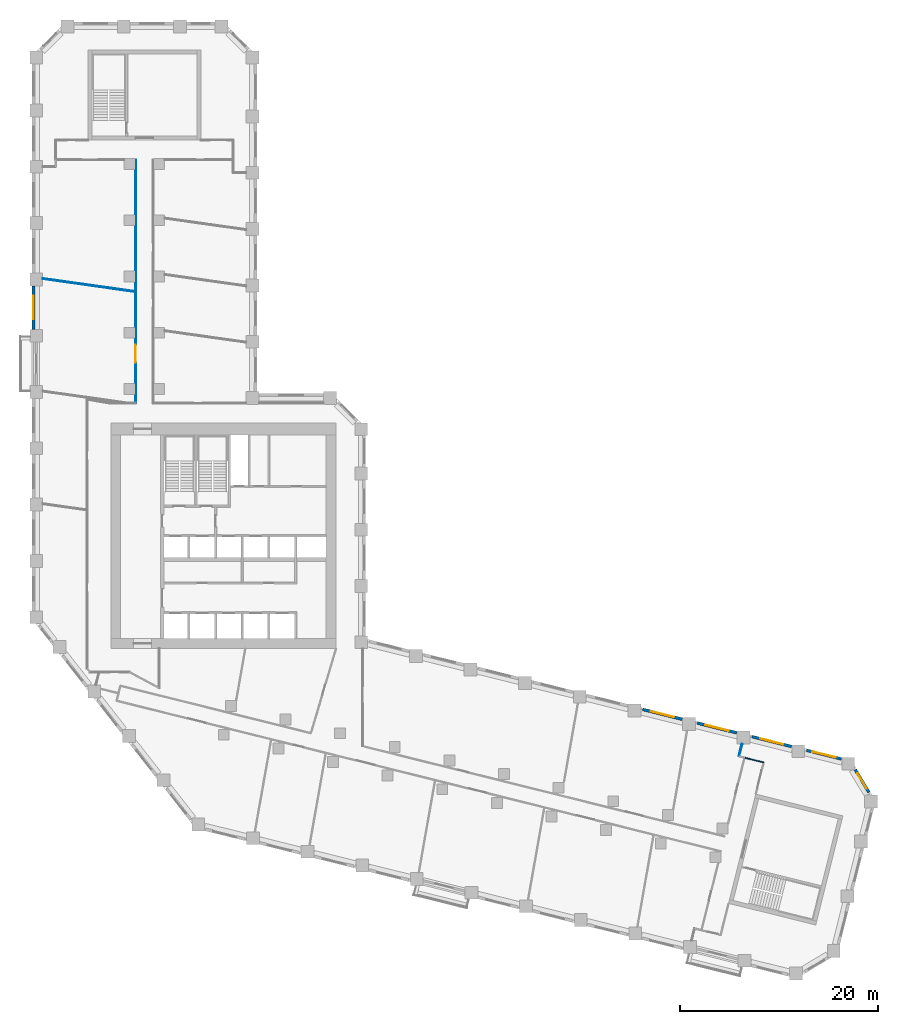
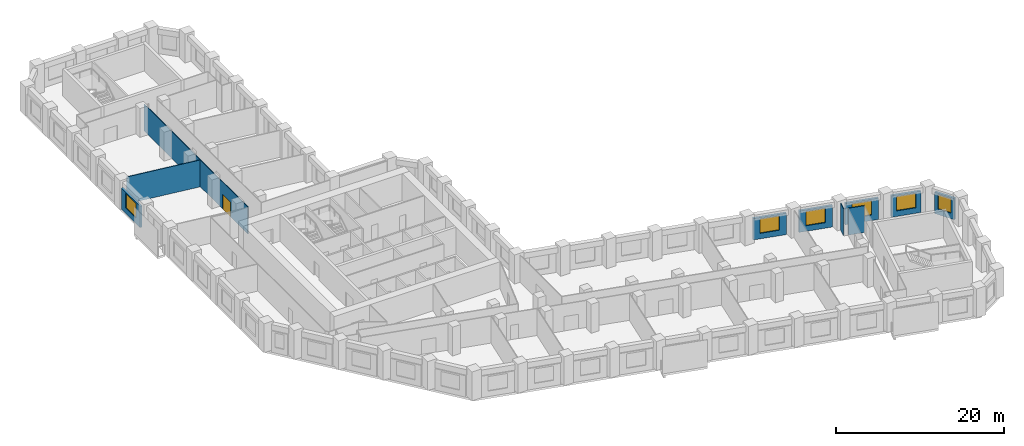
# One storey, part 7 of 10: 10 walls, 6 windows, 1 door, 7 openings.
"""IFC4 building model written with IfcOpenShell, lengths in metres."""

from ifc_helpers import new_model, si_unit, direction, frame, frame_2d, origin, place, context, subcontext, project, spatial, rectangle, extrude, material, layer, layer_set, type_object, element, fill, save


model = new_model("IFC4")

# Units and contexts
model_context = context("Model", 3, precision=1e-05, world=origin(), true_north=direction((0.0, 1.0)))
body_context = subcontext(model_context, "Body", "Model", "MODEL_VIEW")
ifc_project = project(units=[si_unit("LENGTHUNIT", "METRE"), si_unit("AREAUNIT", "SQUARE_METRE"), si_unit("VOLUMEUNIT", "CUBIC_METRE"), si_unit("PLANEANGLEUNIT", "RADIAN"), si_unit("MASSUNIT", "GRAM", prefix="KILO")], contexts=[model_context])

# Site, building, storey
site_placement = place(None, origin())
site = spatial("IfcSite", under=ifc_project, at=site_placement, CompositionType="ELEMENT")
building_placement = place(site_placement, origin())
building = spatial("IfcBuilding", under=site, at=building_placement, Name="Meshkara Civic Tower", CompositionType="ELEMENT")
storey_placement = place(building_placement, frame((0.0, 0.0, 118.199951171875)))
storey = spatial("IfcBuildingStorey", under=building, at=storey_placement, Name="L26", CompositionType="ELEMENT", Elevation=118.199951171875)

# Wall, opening, door
ifc_material_1 = material(Name="Corridor wall 100")
ifc_layer_1 = layer(ifc_material_1, 0.10009765625)
ifc_layer_set_1 = layer_set([ifc_layer_1], Name="Corridor wall 100")
wall_type_1 = type_object("IfcWallType", Name="Corridor wall 100", PredefinedType="PARTITIONING", material=ifc_layer_set_1)
wall_1_placement = place(storey_placement, frame((10.5, 63.570068359375, 0.0), z_axis=(0.0, 0.0, 1.0), x_axis=(0.0, -1.0, 0.0)))
wall_1 = element("IfcWall", 1, at=wall_1_placement, inside=storey, type_object=wall_type_1, Name="L26-W013", PredefinedType="PARTITIONING", context=body_context, shape_type="SweptSolid", body=[
    extrude(rectangle(XDim=24.670166015625, YDim=0.10009765625, at=frame_2d((12.3349609375, 0.0))), origin(), (0.0, 0.0, 1.0), 3.900146484375),
])
opening_1_placement = place(wall_1_placement, frame((18.738037109375, 0.0, 0.0)))
opening_1 = element("IfcOpeningElement", 2, at=opening_1_placement, cuts=wall_1, Name="Opening L26-D018", PredefinedType="OPENING", context=body_context, shape_type="SweptSolid", body=[
    extrude(rectangle(XDim=1.800048828125, YDim=2.10009765625, at=frame_2d((0.89990234375, 1.050048828125))), frame((0.0, 0.06005859375, 0.0), z_axis=(0.0, -1.0, 0.0), x_axis=(1.0, 0.0, 0.0)), (0.0, 0.0, 1.0), 0.1201171875),
])
ifc_material_2 = material(Name="Door pair 1800 x 2100")
door_type = type_object("IfcDoorType", Name="Door pair 1800 x 2100", OperationType="SINGLE_SWING_LEFT", PredefinedType="DOOR", material=ifc_material_2)
door_placement = place(opening_1_placement, origin())
door = element("IfcDoor", 3, at=door_placement, inside=storey, type_object=door_type, Name="L26-D018", OperationType="DOUBLE_DOOR_SINGLE_SWING", OverallHeight=2.10009765625, OverallWidth=1.800048828125, PredefinedType="DOOR", context=body_context, shape_type="SweptSolid", body=[
    extrude(rectangle(XDim=1.800048828125, YDim=2.10009765625, at=frame_2d((0.89990234375, 1.050048828125))), frame((0.0, 0.02490234375, 0.0), z_axis=(0.0, -1.0, 0.0), x_axis=(1.0, 0.0, 0.0)), (0.0, 0.0, 1.0), 0.050048828125),
])
fill(opening_1, door)

# Wall
wall_2_placement = place(storey_placement, frame((74.087890625, 2.552001953125, 0.0), z_axis=(0.0, 0.0, 1.0), x_axis=(-0.970271653322, 0.242018426489, 0.0)))
element("IfcWall", 4, at=wall_2_placement, inside=storey, type_object=wall_type_1, Name="L26-W029", PredefinedType="PARTITIONING", context=body_context, shape_type="SweptSolid", body=[
    extrude(rectangle(XDim=1.999267578125, YDim=0.10009765625, at=frame_2d((0.99951171875, 0.0))), origin(), (0.0, 0.0, 1.0), 3.900146484375),
])

# Wall, opening, window
ifc_material_3 = material(Name="Insulated infill panel with bronze anodised aluminium cladding", Category="aluminium")
ifc_layer_2 = layer(ifc_material_3, 0.300048828125)
ifc_layer_set_2 = layer_set([ifc_layer_2], Name="EXTERNAL INFILL WALL 300")
wall_type_2 = type_object("IfcWallType", Name="EXTERNAL INFILL WALL 300", PredefinedType="SOLIDWALL", material=ifc_layer_set_2)
wall_3_placement = place(storey_placement, frame((81.962890625, 2.906982421875, 0.0), z_axis=(0.0, 0.0, 1.0), x_axis=(-0.970248953144, 0.24210941519, 0.0)))
wall_3 = element("IfcWall", 5, at=wall_3_placement, inside=storey, type_object=wall_type_2, Name="External wall", PredefinedType="SOLIDWALL", context=body_context, shape_type="SweptSolid", body=[
    extrude(rectangle(XDim=3.63916015625, YDim=0.300048828125, at=frame_2d((1.819580078125, 0.0))), origin(), (0.0, 0.0, 1.0), 3.10009765625),
])
opening_2_placement = place(wall_3_placement, frame((0.6201171875, 0.0, 0.800048828125)))
opening_2 = element("IfcOpeningElement", 6, at=opening_2_placement, cuts=wall_3, Name="Opening W7", PredefinedType="OPENING", context=body_context, shape_type="SweptSolid", body=[
    extrude(rectangle(XDim=2.39990234375, YDim=2.10009765625, at=frame_2d((1.199951171875, 1.050048828125))), frame((0.0, 0.159912109375, 0.0), z_axis=(0.0, -1.0, 0.0), x_axis=(1.0, 0.0, 0.0)), (0.0, 0.0, 1.0), 0.320068359375),
])
ifc_material_4 = material(Name="Tinted double glazing", Category="glass")
window_type_1 = type_object("IfcWindowType", Name="WINDOW 2400x2100", PartitioningType="DOUBLE_PANEL_VERTICAL", PredefinedType="WINDOW", material=ifc_material_4)
window_1_placement = place(opening_2_placement, origin())
window_1 = element("IfcWindow", 7, at=window_1_placement, inside=storey, type_object=window_type_1, Name="Window", OverallHeight=2.10009765625, OverallWidth=2.39990234375, PartitioningType="DOUBLE_PANEL_VERTICAL", PredefinedType="WINDOW", context=body_context, shape_type="SweptSolid", body=[
    extrude(rectangle(XDim=2.39990234375, YDim=2.10009765625, at=frame_2d((1.199951171875, 1.050048828125))), frame((0.0, 0.030029296875, 0.0), z_axis=(0.0, -1.0, 0.0), x_axis=(1.0, 0.0, 0.0)), (0.0, 0.0, 1.0), 0.06005859375),
])
fill(opening_2, window_1)

wall_4_placement = place(storey_placement, frame((76.903076171875, 4.1689453125, 0.0), z_axis=(0.0, 0.0, 1.0), x_axis=(-0.970267747908, 0.242034083076, 0.0)))
wall_4 = element("IfcWall", 8, at=wall_4_placement, inside=storey, type_object=wall_type_2, Name="External wall", PredefinedType="SOLIDWALL", context=body_context, shape_type="SweptSolid", body=[
    extrude(rectangle(XDim=4.12353515625, YDim=0.300048828125, at=frame_2d((2.061767578125, 0.0))), origin(), (0.0, 0.0, 1.0), 3.10009765625),
])
opening_3_placement = place(wall_4_placement, frame((0.862060546875, 0.0, 0.800048828125)))
opening_3 = element("IfcOpeningElement", 9, at=opening_3_placement, cuts=wall_4, Name="Opening W7", PredefinedType="OPENING", context=body_context, shape_type="SweptSolid", body=[
    extrude(rectangle(XDim=2.39990234375, YDim=2.10009765625, at=frame_2d((1.199951171875, 1.050048828125))), frame((0.0, 0.159912109375, 0.0), z_axis=(0.0, -1.0, 0.0), x_axis=(1.0, 0.0, 0.0)), (0.0, 0.0, 1.0), 0.320068359375),
])
window_2_placement = place(opening_3_placement, origin())
window_2 = element("IfcWindow", 10, at=window_2_placement, inside=storey, type_object=window_type_1, Name="Window", OverallHeight=2.10009765625, OverallWidth=2.39990234375, PartitioningType="DOUBLE_PANEL_VERTICAL", PredefinedType="WINDOW", context=body_context, shape_type="SweptSolid", body=[
    extrude(rectangle(XDim=2.39990234375, YDim=2.10009765625, at=frame_2d((1.199951171875, 1.050048828125))), frame((0.0, 0.030029296875, 0.0), z_axis=(0.0, -1.0, 0.0), x_axis=(1.0, 0.0, 0.0)), (0.0, 0.0, 1.0), 0.06005859375),
])
fill(opening_3, window_2)

wall_5_placement = place(storey_placement, frame((71.373046875, 5.548095703125, 0.0), z_axis=(0.0, 0.0, 1.0), x_axis=(-0.97029551261, 0.241922752565, 0.0)))
wall_5 = element("IfcWall", 11, at=wall_5_placement, inside=storey, type_object=wall_type_2, Name="External wall", PredefinedType="SOLIDWALL", context=body_context, shape_type="SweptSolid", body=[
    extrude(rectangle(XDim=4.12451171875, YDim=0.300048828125, at=frame_2d((2.062255859375, 0.0))), origin(), (0.0, 0.0, 1.0), 3.10009765625),
])
opening_4_placement = place(wall_5_placement, frame((0.862060546875, 0.0, 0.800048828125)))
opening_4 = element("IfcOpeningElement", 12, at=opening_4_placement, cuts=wall_5, Name="Opening W7", PredefinedType="OPENING", context=body_context, shape_type="SweptSolid", body=[
    extrude(rectangle(XDim=2.39990234375, YDim=2.10009765625, at=frame_2d((1.199951171875, 1.050048828125))), frame((0.0, 0.159912109375, 0.0), z_axis=(0.0, -1.0, 0.0), x_axis=(1.0, 0.0, 0.0)), (0.0, 0.0, 1.0), 0.320068359375),
])
window_3_placement = place(opening_4_placement, origin())
window_3 = element("IfcWindow", 13, at=window_3_placement, inside=storey, type_object=window_type_1, Name="Window", OverallHeight=2.10009765625, OverallWidth=2.39990234375, PartitioningType="DOUBLE_PANEL_VERTICAL", PredefinedType="WINDOW", context=body_context, shape_type="SweptSolid", body=[
    extrude(rectangle(XDim=2.39990234375, YDim=2.10009765625, at=frame_2d((1.199951171875, 1.050048828125))), frame((0.0, 0.030029296875, 0.0), z_axis=(0.0, -1.0, 0.0), x_axis=(1.0, 0.0, 0.0)), (0.0, 0.0, 1.0), 0.06005859375),
])
fill(opening_4, window_3)

wall_6_placement = place(storey_placement, frame((65.842041015625, 6.927001953125, 0.0), z_axis=(0.0, 0.0, 1.0), x_axis=(-0.970281616392, 0.241978480223, 0.0)))
wall_6 = element("IfcWall", 14, at=wall_6_placement, inside=storey, type_object=wall_type_2, Name="External wall", PredefinedType="SOLIDWALL", context=body_context, shape_type="SweptSolid", body=[
    extrude(rectangle(XDim=4.12451171875, YDim=0.300048828125, at=frame_2d((2.062255859375, 0.0))), origin(), (0.0, 0.0, 1.0), 3.10009765625),
])
opening_5_placement = place(wall_6_placement, frame((0.862060546875, 0.0, 0.800048828125)))
opening_5 = element("IfcOpeningElement", 15, at=opening_5_placement, cuts=wall_6, Name="Opening W7", PredefinedType="OPENING", context=body_context, shape_type="SweptSolid", body=[
    extrude(rectangle(XDim=2.39990234375, YDim=2.10009765625, at=frame_2d((1.199951171875, 1.050048828125))), frame((0.0, 0.159912109375, 0.0), z_axis=(0.0, -1.0, 0.0), x_axis=(1.0, 0.0, 0.0)), (0.0, 0.0, 1.0), 0.320068359375),
])
window_4_placement = place(opening_5_placement, origin())
window_4 = element("IfcWindow", 16, at=window_4_placement, inside=storey, type_object=window_type_1, Name="Window", OverallHeight=2.10009765625, OverallWidth=2.39990234375, PartitioningType="DOUBLE_PANEL_VERTICAL", PredefinedType="WINDOW", context=body_context, shape_type="SweptSolid", body=[
    extrude(rectangle(XDim=2.39990234375, YDim=2.10009765625, at=frame_2d((1.199951171875, 1.050048828125))), frame((0.0, 0.030029296875, 0.0), z_axis=(0.0, -1.0, 0.0), x_axis=(1.0, 0.0, 0.0)), (0.0, 0.0, 1.0), 0.06005859375),
])
fill(opening_5, window_4)

wall_7_placement = place(storey_placement, frame((0.14990234375, 50.804931640625, 0.0), z_axis=(0.0, 0.0, 1.0), x_axis=(0.0, -1.0, 0.0)))
wall_7 = element("IfcWall", 17, at=wall_7_placement, inside=storey, type_object=wall_type_2, Name="External wall", PredefinedType="SOLIDWALL", context=body_context, shape_type="SweptSolid", body=[
    extrude(rectangle(XDim=4.39990234375, YDim=0.300048828125, at=frame_2d((2.199951171875, 0.0))), origin(), (0.0, 0.0, 1.0), 3.10009765625),
])
opening_6_placement = place(wall_7_placement, frame((1.0, 0.0, 0.800048828125)))
opening_6 = element("IfcOpeningElement", 18, at=opening_6_placement, cuts=wall_7, Name="Opening W7", PredefinedType="OPENING", context=body_context, shape_type="SweptSolid", body=[
    extrude(rectangle(XDim=2.39990234375, YDim=2.10009765625, at=frame_2d((1.199951171875, 1.050048828125))), frame((0.0, 0.159912109375, 0.0), z_axis=(0.0, -1.0, 0.0), x_axis=(1.0, 0.0, 0.0)), (0.0, 0.0, 1.0), 0.320068359375),
])
window_5_placement = place(opening_6_placement, origin())
window_5 = element("IfcWindow", 19, at=window_5_placement, inside=storey, type_object=window_type_1, Name="Window", OverallHeight=2.10009765625, OverallWidth=2.39990234375, PartitioningType="DOUBLE_PANEL_VERTICAL", PredefinedType="WINDOW", context=body_context, shape_type="SweptSolid", body=[
    extrude(rectangle(XDim=2.39990234375, YDim=2.10009765625, at=frame_2d((1.199951171875, 1.050048828125))), frame((0.0, 0.030029296875, 0.0), z_axis=(0.0, -1.0, 0.0), x_axis=(1.0, 0.0, 0.0)), (0.0, 0.0, 1.0), 0.06005859375),
])
fill(opening_6, window_5)

wall_8_placement = place(storey_placement, frame((84.751953125, -0.48095703125, 0.0), z_axis=(0.0, 0.0, 1.0), x_axis=(-0.515138971391, 0.857106667898, 0.0)))
wall_8 = element("IfcWall", 20, at=wall_8_placement, inside=storey, type_object=wall_type_2, Name="External wall", PredefinedType="SOLIDWALL", context=body_context, shape_type="SweptSolid", body=[
    extrude(rectangle(XDim=2.6787109375, YDim=0.300048828125, at=frame_2d((1.33935546875, 0.0))), origin(), (0.0, 0.0, 1.0), 3.10009765625),
])
opening_7_placement = place(wall_8_placement, frame((0.43896484375, 0.0, 0.800048828125)))
opening_7 = element("IfcOpeningElement", 21, at=opening_7_placement, cuts=wall_8, Name="Opening W9", PredefinedType="OPENING", context=body_context, shape_type="SweptSolid", body=[
    extrude(rectangle(XDim=1.800048828125, YDim=2.10009765625, at=frame_2d((0.89990234375, 1.050048828125))), frame((0.0, 0.159912109375, 0.0), z_axis=(0.0, -1.0, 0.0), x_axis=(1.0, 0.0, 0.0)), (0.0, 0.0, 1.0), 0.320068359375),
])
ifc_material_5 = material(Name="Tinted double glazing", Category="glass")
window_type_2 = type_object("IfcWindowType", Name="WINDOW 1800x2100", PartitioningType="DOUBLE_PANEL_VERTICAL", PredefinedType="WINDOW", material=ifc_material_5)
window_6_placement = place(opening_7_placement, origin())
window_6 = element("IfcWindow", 22, at=window_6_placement, inside=storey, type_object=window_type_2, Name="Window", OverallHeight=2.10009765625, OverallWidth=1.800048828125, PartitioningType="DOUBLE_PANEL_VERTICAL", PredefinedType="WINDOW", context=body_context, shape_type="SweptSolid", body=[
    extrude(rectangle(XDim=1.800048828125, YDim=2.10009765625, at=frame_2d((0.89990234375, 1.050048828125))), frame((0.0, 0.030029296875, 0.0), z_axis=(0.0, -1.0, 0.0), x_axis=(1.0, 0.0, 0.0)), (0.0, 0.0, 1.0), 0.06005859375),
])
fill(opening_7, window_6)

# Walls
ifc_material_6 = material(Name="Partition 100")
ifc_layer_3 = layer(ifc_material_6, 0.10009765625)
ifc_layer_set_3 = layer_set([ifc_layer_3], Name="Partition 100")
wall_type_3 = type_object("IfcWallType", Name="Partition 100", PredefinedType="PARTITIONING", material=ifc_layer_set_3)
wall_9_placement = place(storey_placement, frame((10.443115234375, 50.2119140625, 0.0), z_axis=(0.0, 0.0, 1.0), x_axis=(-0.990255073415, 0.139265536207, 0.0)))
element("IfcWall", 23, at=wall_9_placement, inside=storey, type_object=wall_type_3, Name="L26-W036", PredefinedType="PARTITIONING", context=body_context, shape_type="SweptSolid", body=[
    extrude(rectangle(XDim=9.43505859375, YDim=0.10009765625, at=frame_2d((4.717529296875, 0.0))), origin(), (0.0, 0.0, 1.0), 3.900146484375),
])
wall_10_placement = place(storey_placement, frame((71.593017578125, 3.174072265625, 0.0), z_axis=(0.0, 0.0, 1.0), x_axis=(0.242221476086, 0.970220983345, 0.0)))
element("IfcWall", 24, at=wall_10_placement, inside=storey, type_object=wall_type_3, Name="L26-W052", PredefinedType="PARTITIONING", context=body_context, shape_type="SweptSolid", body=[
    extrude(rectangle(XDim=1.280029296875, YDim=0.10009765625, at=frame_2d((0.64013671875, 0.0))), origin(), (0.0, 0.0, 1.0), 3.900146484375),
])

save(model, "model.ifc")
